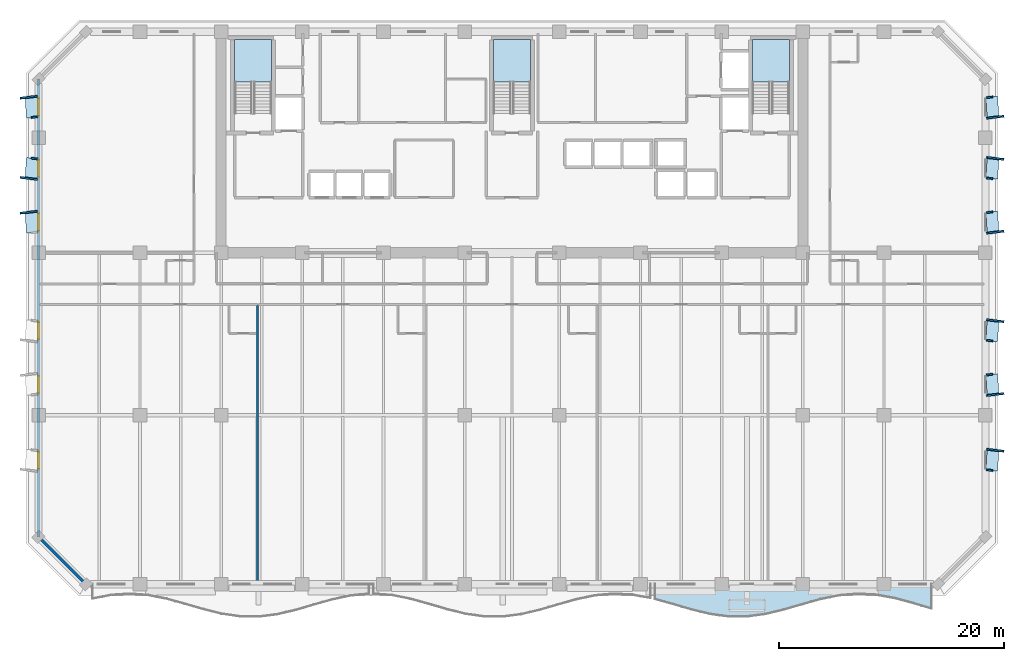
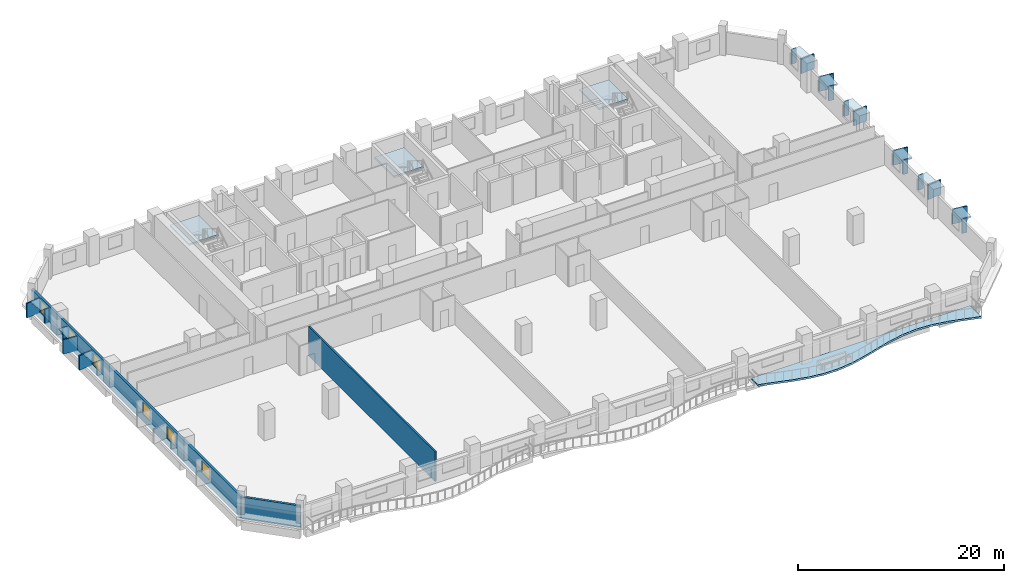
# One storey, part 3 of 14: 26 plates, 6 windows, 4 slabs, 3 walls, 6 openings, 3 elements without a shape of their own.
"""IFC4 building model written with IfcOpenShell, lengths in metres."""

from ifc_helpers import new_model, si_unit, direction, frame, frame_2d, origin, origin_2d, place, context, subcontext, project, spatial, polyline, rectangle, outline, extrude, material, layer, layer_set, type_object, element, fill, aggregate, save


model = new_model("IFC4")

# Units and contexts
model_context = context("Model", 3, precision=1e-05, world=origin(), true_north=direction((0.0, 1.0)))
body_context = subcontext(model_context, "Body", "Model", "MODEL_VIEW")
ifc_project = project(units=[si_unit("LENGTHUNIT", "METRE"), si_unit("AREAUNIT", "SQUARE_METRE"), si_unit("VOLUMEUNIT", "CUBIC_METRE"), si_unit("PLANEANGLEUNIT", "RADIAN"), si_unit("MASSUNIT", "GRAM", prefix="KILO")], contexts=[model_context])

# Site, building, storey
site_placement = place(None, origin())
site = spatial("IfcSite", under=ifc_project, at=site_placement, CompositionType="ELEMENT")
building_placement = place(site_placement, origin())
building = spatial("IfcBuilding", under=site, at=building_placement, Name="Kaelvorn Grand Hotel", CompositionType="ELEMENT")
storey_placement = place(building_placement, frame((0.0, 0.0, 126.800048828125)))
storey = spatial("IfcBuildingStorey", under=building, at=storey_placement, Name="L30", CompositionType="ELEMENT", Elevation=126.800048828125)

# Plates
ifc_material_1 = material(Name="Precast concrete C45/55", Category="concrete")
ifc_layer_1 = layer(ifc_material_1, 0.159912109375)
ifc_layer_set_1 = layer_set([ifc_layer_1], Name="Precast concrete C45/55")
plate_type_1 = type_object("IfcPlateType", Name="PL-FRAME-DEEP-1550", PredefinedType="USERDEFINED", material=ifc_layer_set_1)
for number, where, z_axis, x_axis, name in (
    (1, (84.864990234375, 11.889892578125, 0.68994140625), (0.0, 0.0, 1.0), (0.121869343405, 0.992546151641, 0.0), "L30 Tilted Precast Window Frame Fin R-E01"),
    (2, (84.864990234375, 16.824951171875, 0.68994140625), (0.0, 0.0, 1.0), (-0.121869343405, 0.992546151641, 0.0), "L30 Tilted Precast Window Frame Fin L-E02"),
    (3, (84.864990234375, 23.375, 0.68994140625), (0.0, 0.0, 1.0), (0.121869343405, 0.992546151641, 0.0), "L30 Tilted Precast Window Frame Fin R-E03"),
    (4, (84.864990234375, 31.22509765625, 0.68994140625), (0.0, 0.0, 1.0), (-0.121869343405, 0.992546151641, 0.0), "L30 Tilted Precast Window Frame Fin L-E04"),
    (5, (84.864990234375, 37.77490234375, 0.68994140625), (0.0, 0.0, 1.0), (0.121869343405, 0.992546151641, 0.0), "L30 Tilted Precast Window Frame Fin R-E05"),
    (6, (84.864990234375, 41.425048828125, 0.68994140625), (0.0, 0.0, 1.0), (-0.121869343405, 0.992546151641, 0.0), "L30 Tilted Precast Window Frame Fin L-E06"),
    (7, (-0.864990234375, 33.0048828125, 0.68994140625), (0.0, 0.0, 1.0), (-0.121869343405, 0.992546151641, 0.0), "L30 Tilted Precast Window Frame Fin R-W04"),
    (8, (-0.864990234375, 35.9951171875, 0.68994140625), (0.0, 0.0, 1.0), (0.121869343405, 0.992546151641, 0.0), "L30 Tilted Precast Window Frame Fin L-W05"),
    (9, (-0.864990234375, 43.205078125, 0.68994140625), (0.0, 0.0, 1.0), (-0.121869343405, 0.992546151641, 0.0), "L30 Tilted Precast Window Frame Fin R-W06"),
):
    element("IfcPlate", number, at=place(storey_placement, frame(where, z_axis=z_axis, x_axis=x_axis)), inside=storey, type_object=plate_type_1, Name=name, ObjectType="FLANGE_PLATE", PredefinedType="USERDEFINED", context=body_context, shape_type="SweptSolid", body=[
        extrude(rectangle(XDim=0.159912109375, YDim=1.550048828125, at=origin_2d()), origin(), (0.0, 0.0, 1.0), 1.719970703125),
    ])
ifc_layer_2 = layer(ifc_material_1, 0.159912109375)
ifc_layer_set_2 = layer_set([ifc_layer_2], Name="Precast concrete C45/55")
plate_type_2 = type_object("IfcPlateType", Name="PL-FRAME-HEAD-1050", PredefinedType="USERDEFINED", material=ifc_layer_set_2)
for number, where, z_axis, x_axis, name in (
    (10, (84.614990234375, 11.0, 2.25), (0.0, 0.0, 1.0), (0.054950179912, 0.998489097451, 0.0), "L30 Precast Window Frame Head Hood H-E01"),
    (11, (84.614990234375, 17.715087890625, 2.25), (0.0, 0.0, 1.0), (-0.054950179912, 0.998489097451, 0.0), "L30 Precast Window Frame Head Hood H-E02"),
    (12, (84.614990234375, 22.485107421875, 2.25), (0.0, 0.0, 1.0), (0.054950179912, 0.998489097451, 0.0), "L30 Precast Window Frame Head Hood H-E03"),
    (13, (84.614990234375, 32.114990234375, 2.25), (0.0, 0.0, 1.0), (-0.054950179912, 0.998489097451, 0.0), "L30 Precast Window Frame Head Hood H-E04"),
    (14, (84.614990234375, 36.885009765625, 2.25), (0.0, 0.0, 1.0), (0.054950179912, 0.998489097451, 0.0), "L30 Precast Window Frame Head Hood H-E05"),
    (15, (84.614990234375, 42.31494140625, 2.25), (0.0, 0.0, 1.0), (-0.054950179912, 0.998489097451, 0.0), "L30 Precast Window Frame Head Hood H-E06"),
    (16, (-0.614990234375, 32.114990234375, 2.25), (0.0, 0.0, 1.0), (-0.054950179912, 0.998489097451, 0.0), "L30 Precast Window Frame Head Hood H-W04"),
    (17, (-0.614990234375, 36.885009765625, 2.25), (0.0, 0.0, 1.0), (0.054950179912, 0.998489097451, 0.0), "L30 Precast Window Frame Head Hood H-W05"),
    (18, (-0.614990234375, 42.31494140625, 2.25), (0.0, 0.0, 1.0), (-0.054950179912, 0.998489097451, 0.0), "L30 Precast Window Frame Head Hood H-W06"),
):
    element("IfcPlate", number, at=place(storey_placement, frame(where, z_axis=z_axis, x_axis=x_axis)), inside=storey, type_object=plate_type_2, Name=name, ObjectType="FLANGE_PLATE", PredefinedType="USERDEFINED", context=body_context, shape_type="SweptSolid", body=[
        extrude(rectangle(XDim=1.860107421875, YDim=1.050048828125, at=origin_2d()), origin(), (0.0, 0.0, 1.0), 0.159912109375),
    ])
ifc_layer_3 = layer(ifc_material_1, 0.159912109375)
ifc_layer_set_3 = layer_set([ifc_layer_3], Name="Precast concrete C45/55")
plate_type_3 = type_object("IfcPlateType", Name="PL-FRAME-SHAL-550", PredefinedType="USERDEFINED", material=ifc_layer_set_3)
for number, where, z_axis, x_axis, name in (
    (19, (84.364990234375, 10.110107421875, 0.68994140625), (0.0, 0.0, 1.0), (0.121869343405, 0.992546151641, 0.0), "L30 Tilted Precast Window Frame Fin L-E01"),
    (20, (84.364990234375, 18.60498046875, 0.68994140625), (0.0, 0.0, 1.0), (-0.121869343405, 0.992546151641, 0.0), "L30 Tilted Precast Window Frame Fin R-E02"),
    (21, (84.364990234375, 21.594970703125, 0.68994140625), (0.0, 0.0, 1.0), (0.121869343405, 0.992546151641, 0.0), "L30 Tilted Precast Window Frame Fin L-E03"),
    (22, (84.364990234375, 33.0048828125, 0.68994140625), (0.0, 0.0, 1.0), (-0.121869343405, 0.992546151641, 0.0), "L30 Tilted Precast Window Frame Fin R-E04"),
    (23, (84.364990234375, 35.9951171875, 0.68994140625), (0.0, 0.0, 1.0), (0.121869343405, 0.992546151641, 0.0), "L30 Tilted Precast Window Frame Fin L-E05"),
    (24, (84.364990234375, 43.205078125, 0.68994140625), (0.0, 0.0, 1.0), (-0.121869343405, 0.992546151641, 0.0), "L30 Tilted Precast Window Frame Fin R-E06"),
    (25, (-0.364990234375, 37.77490234375, 0.68994140625), (0.0, 0.0, 1.0), (0.121869343405, 0.992546151641, 0.0), "L30 Tilted Precast Window Frame Fin R-W05"),
    (26, (-0.364990234375, 41.425048828125, 0.68994140625), (0.0, 0.0, 1.0), (-0.121869343405, 0.992546151641, 0.0), "L30 Tilted Precast Window Frame Fin L-W06"),
):
    element("IfcPlate", number, at=place(storey_placement, frame(where, z_axis=z_axis, x_axis=x_axis)), inside=storey, type_object=plate_type_3, Name=name, ObjectType="FLANGE_PLATE", PredefinedType="USERDEFINED", context=body_context, shape_type="SweptSolid", body=[
        extrude(rectangle(XDim=0.159912109375, YDim=0.550048828125, at=origin_2d()), origin(), (0.0, 0.0, 1.0), 1.719970703125),
    ])

# Slab
ifc_material_2 = material(Name="Concrete C40/50", Category="concrete")
ifc_layer_4 = layer(ifc_material_2, 0.219970703125)
ifc_layer_set_4 = layer_set([ifc_layer_4], Name="Concrete C40/50")
slab_type_1 = type_object("IfcSlabType", Name="SLB-BALC-220-C40", PredefinedType="FLOOR", material=ifc_layer_set_4)
slab_1_placement = place(storey_placement, frame((0.0, 0.0, -0.219970703125)))
element("IfcSlab", 27, at=slab_1_placement, inside=storey, type_object=slab_type_1, Name="L30 Scalloped Wave Balcony Slab 3", PredefinedType="FLOOR", context=body_context, shape_type="SweptSolid", body=[
    extrude(outline(polyline([(54.666748046875, -1.318359375), (56.30224609375, -1.7744140625), (57.937744140625, -2.2529296875), (59.5732421875, -2.647216796875), (61.208984375, -2.8701171875), (62.844482421875, -2.8720703125), (64.47998046875, -2.652587890625), (66.115478515625, -2.26025390625), (67.751220703125, -1.782470703125), (69.38671875, -1.3251953125), (71.022216796875, -0.989990234375), (72.65771484375, -0.851318359375), (74.293212890625, -0.940185546875), (75.928955078125, -1.236572265625), (77.564453125, -1.6748046875), (79.199951171875, -2.157470703125), (79.199951171875, 0.0), (54.666748046875, 0.0), (54.666748046875, -1.318359375)])), origin(), (0.0, 0.0, 1.0), 0.219970703125),
])

# Stair, slab
stair_type = type_object("IfcStairType", Name="STR-DOG-1560-R06", PredefinedType="HALF_TURN_STAIR", material=ifc_material_2)
stair_1_placement = place(storey_placement, origin())
stair_1 = element("IfcStair", 28, at=stair_1_placement, inside=storey, type_object=stair_type, Name="L30 West Core Exit Stair ST1", PredefinedType="HALF_TURN_STAIR")
ifc_layer_5 = layer(ifc_material_2, 0.199951171875)
ifc_layer_set_5 = layer_set([ifc_layer_5], Name="Concrete C40/50")
slab_type_2 = type_object("IfcSlabType", Name="SLB-LAND-200-C40", PredefinedType="LANDING", material=ifc_layer_set_5)
slab_2_placement = place(storey_placement, frame((0.0, 0.0, 1.675048828125)))
slab_2 = element("IfcSlab", 29, at=slab_2_placement, type_object=slab_type_2, Name="ST1 landing 1", PredefinedType="LANDING", context=body_context, shape_type="SweptSolid", body=[
    extrude(outline(polyline([(20.679931640625, 44.56005859375), (20.679931640625, 48.300048828125), (17.39990234375, 48.300048828125), (17.39990234375, 44.56005859375), (20.679931640625, 44.56005859375)])), origin(), (0.0, 0.0, 1.0), 0.199951171875),
])
aggregate(stair_1, [slab_2])

stair_2_placement = place(storey_placement, origin())
stair_2 = element("IfcStair", 30, at=stair_2_placement, inside=storey, type_object=stair_type, Name="L30 Central Core Exit Stair ST2", PredefinedType="HALF_TURN_STAIR")
slab_3_placement = place(storey_placement, frame((0.0, 0.0, 1.675048828125)))
slab_3 = element("IfcSlab", 31, at=slab_3_placement, type_object=slab_type_2, Name="ST2 landing 1", PredefinedType="LANDING", context=body_context, shape_type="SweptSolid", body=[
    extrude(outline(polyline([(43.639892578125, 44.56005859375), (43.639892578125, 48.300048828125), (40.360107421875, 48.300048828125), (40.360107421875, 44.56005859375), (43.639892578125, 44.56005859375)])), origin(), (0.0, 0.0, 1.0), 0.199951171875),
])
aggregate(stair_2, [slab_3])

stair_3_placement = place(storey_placement, origin())
stair_3 = element("IfcStair", 32, at=stair_3_placement, inside=storey, type_object=stair_type, Name="L30 East Core Exit Stair ST3", PredefinedType="HALF_TURN_STAIR")
slab_4_placement = place(storey_placement, frame((0.0, 0.0, 1.675048828125)))
slab_4 = element("IfcSlab", 33, at=slab_4_placement, type_object=slab_type_2, Name="ST3 landing 1", PredefinedType="LANDING", context=body_context, shape_type="SweptSolid", body=[
    extrude(outline(polyline([(66.60009765625, 44.56005859375), (66.60009765625, 48.300048828125), (63.320068359375, 48.300048828125), (63.320068359375, 44.56005859375), (66.60009765625, 44.56005859375)])), origin(), (0.0, 0.0, 1.0), 0.199951171875),
])
aggregate(stair_3, [slab_4])

# Wall, openings, windows
ifc_layer_6 = layer(ifc_material_2, 0.260009765625)
ifc_layer_set_6 = layer_set([ifc_layer_6], Name="Concrete C40/50")
wall_type_1 = type_object("IfcWallType", Name="WL-EXT-260-C40", PredefinedType="SOLIDWALL", material=ifc_layer_set_6)
wall_1_placement = place(storey_placement, frame((0.0, 44.800048828125, 0.0), z_axis=(0.0, 0.0, 1.0), x_axis=(0.0, -1.0, 0.0)))
wall_1 = element("IfcWall", 34, at=wall_1_placement, inside=storey, type_object=wall_type_1, Name="L30 Exterior Architectural Concrete Wall 07", PredefinedType="SOLIDWALL", context=body_context, shape_type="SweptSolid", body=[
    extrude(rectangle(XDim=40.60009765625, YDim=0.260009765625, at=frame_2d((20.300048828125, 0.0))), origin(), (0.0, 0.0, 1.0), 2.56005859375),
])
opening_1_placement = place(wall_1_placement, frame((33.050048828125, 0.0, 0.85009765625)))
opening_1 = element("IfcOpeningElement", 35, at=opening_1_placement, cuts=wall_1, Name="Opening W10", PredefinedType="OPENING", context=body_context, shape_type="SweptSolid", body=[
    extrude(rectangle(XDim=1.5, YDim=1.39990234375, at=frame_2d((0.75, 0.699951171875))), frame((0.0, 0.14013671875, 0.0), z_axis=(0.0, -1.0, 0.0), x_axis=(1.0, 0.0, 0.0)), (0.0, 0.0, 1.0), 0.280029296875),
])
opening_2_placement = place(wall_1_placement, frame((26.3349609375, 0.0, 0.85009765625)))
opening_2 = element("IfcOpeningElement", 36, at=opening_2_placement, cuts=wall_1, Name="Opening W10", PredefinedType="OPENING", context=body_context, shape_type="SweptSolid", body=[
    extrude(rectangle(XDim=1.5, YDim=1.39990234375, at=frame_2d((0.75, 0.699951171875))), frame((0.0, 0.14013671875, 0.0), z_axis=(0.0, -1.0, 0.0), x_axis=(1.0, 0.0, 0.0)), (0.0, 0.0, 1.0), 0.280029296875),
])
opening_3_placement = place(wall_1_placement, frame((21.56494140625, 0.0, 0.85009765625)))
opening_3 = element("IfcOpeningElement", 37, at=opening_3_placement, cuts=wall_1, Name="Opening W10", PredefinedType="OPENING", context=body_context, shape_type="SweptSolid", body=[
    extrude(rectangle(XDim=1.5, YDim=1.39990234375, at=frame_2d((0.75, 0.699951171875))), frame((0.0, 0.14013671875, 0.0), z_axis=(0.0, -1.0, 0.0), x_axis=(1.0, 0.0, 0.0)), (0.0, 0.0, 1.0), 0.280029296875),
])
opening_4_placement = place(wall_1_placement, frame((11.93505859375, 0.0, 0.85009765625)))
opening_4 = element("IfcOpeningElement", 38, at=opening_4_placement, cuts=wall_1, Name="Opening W10", PredefinedType="OPENING", context=body_context, shape_type="SweptSolid", body=[
    extrude(rectangle(XDim=1.5, YDim=1.39990234375, at=frame_2d((0.75, 0.699951171875))), frame((0.0, 0.14013671875, 0.0), z_axis=(0.0, -1.0, 0.0), x_axis=(1.0, 0.0, 0.0)), (0.0, 0.0, 1.0), 0.280029296875),
])
opening_5_placement = place(wall_1_placement, frame((7.1650390625, 0.0, 0.85009765625)))
opening_5 = element("IfcOpeningElement", 39, at=opening_5_placement, cuts=wall_1, Name="Opening W10", PredefinedType="OPENING", context=body_context, shape_type="SweptSolid", body=[
    extrude(rectangle(XDim=1.5, YDim=1.39990234375, at=frame_2d((0.75, 0.699951171875))), frame((0.0, 0.14013671875, 0.0), z_axis=(0.0, -1.0, 0.0), x_axis=(1.0, 0.0, 0.0)), (0.0, 0.0, 1.0), 0.280029296875),
])
opening_6_placement = place(wall_1_placement, frame((1.735107421875, 0.0, 0.85009765625)))
opening_6 = element("IfcOpeningElement", 40, at=opening_6_placement, cuts=wall_1, Name="Opening W10", PredefinedType="OPENING", context=body_context, shape_type="SweptSolid", body=[
    extrude(rectangle(XDim=1.5, YDim=1.39990234375, at=frame_2d((0.75, 0.699951171875))), frame((0.0, 0.14013671875, 0.0), z_axis=(0.0, -1.0, 0.0), x_axis=(1.0, 0.0, 0.0)), (0.0, 0.0, 1.0), 0.280029296875),
])
ifc_material_3 = material(Name="Laminated Low-E Glass", Category="glass")
window_type = type_object("IfcWindowType", Name="WIN-COR-1500x1400", PartitioningType="SINGLE_PANEL", PredefinedType="WINDOW", material=ifc_material_3)
window_1_placement = place(opening_1_placement, origin())
window_1 = element("IfcWindow", 41, at=window_1_placement, inside=storey, type_object=window_type, Name="L30 W Wing Tilted-Frame Ribbon Window W01", OverallHeight=1.39990234375, OverallWidth=1.5, PartitioningType="SINGLE_PANEL", PredefinedType="WINDOW", context=body_context, shape_type="SweptSolid", body=[
    extrude(rectangle(XDim=1.5, YDim=1.39990234375, at=frame_2d((0.75, 0.699951171875))), frame((0.0, 0.030029296875, 0.0), z_axis=(0.0, -1.0, 0.0), x_axis=(1.0, 0.0, 0.0)), (0.0, 0.0, 1.0), 0.06005859375),
])
fill(opening_1, window_1)
window_2_placement = place(opening_2_placement, origin())
window_2 = element("IfcWindow", 42, at=window_2_placement, inside=storey, type_object=window_type, Name="L30 W Wing Tilted-Frame Ribbon Window W02", OverallHeight=1.39990234375, OverallWidth=1.5, PartitioningType="SINGLE_PANEL", PredefinedType="WINDOW", context=body_context, shape_type="SweptSolid", body=[
    extrude(rectangle(XDim=1.5, YDim=1.39990234375, at=frame_2d((0.75, 0.699951171875))), frame((0.0, 0.030029296875, 0.0), z_axis=(0.0, -1.0, 0.0), x_axis=(1.0, 0.0, 0.0)), (0.0, 0.0, 1.0), 0.06005859375),
])
fill(opening_2, window_2)
window_3_placement = place(opening_3_placement, origin())
window_3 = element("IfcWindow", 43, at=window_3_placement, inside=storey, type_object=window_type, Name="L30 W Wing Tilted-Frame Ribbon Window W03", OverallHeight=1.39990234375, OverallWidth=1.5, PartitioningType="SINGLE_PANEL", PredefinedType="WINDOW", context=body_context, shape_type="SweptSolid", body=[
    extrude(rectangle(XDim=1.5, YDim=1.39990234375, at=frame_2d((0.75, 0.699951171875))), frame((0.0, 0.030029296875, 0.0), z_axis=(0.0, -1.0, 0.0), x_axis=(1.0, 0.0, 0.0)), (0.0, 0.0, 1.0), 0.06005859375),
])
fill(opening_3, window_3)
window_4_placement = place(opening_4_placement, origin())
window_4 = element("IfcWindow", 44, at=window_4_placement, inside=storey, type_object=window_type, Name="L30 W Wing Tilted-Frame Ribbon Window W04", OverallHeight=1.39990234375, OverallWidth=1.5, PartitioningType="SINGLE_PANEL", PredefinedType="WINDOW", context=body_context, shape_type="SweptSolid", body=[
    extrude(rectangle(XDim=1.5, YDim=1.39990234375, at=frame_2d((0.75, 0.699951171875))), frame((0.0, 0.030029296875, 0.0), z_axis=(0.0, -1.0, 0.0), x_axis=(1.0, 0.0, 0.0)), (0.0, 0.0, 1.0), 0.06005859375),
])
fill(opening_4, window_4)
window_5_placement = place(opening_5_placement, origin())
window_5 = element("IfcWindow", 45, at=window_5_placement, inside=storey, type_object=window_type, Name="L30 W Wing Tilted-Frame Ribbon Window W05", OverallHeight=1.39990234375, OverallWidth=1.5, PartitioningType="SINGLE_PANEL", PredefinedType="WINDOW", context=body_context, shape_type="SweptSolid", body=[
    extrude(rectangle(XDim=1.5, YDim=1.39990234375, at=frame_2d((0.75, 0.699951171875))), frame((0.0, 0.030029296875, 0.0), z_axis=(0.0, -1.0, 0.0), x_axis=(1.0, 0.0, 0.0)), (0.0, 0.0, 1.0), 0.06005859375),
])
fill(opening_5, window_5)
window_6_placement = place(opening_6_placement, origin())
window_6 = element("IfcWindow", 46, at=window_6_placement, inside=storey, type_object=window_type, Name="L30 W Wing Tilted-Frame Ribbon Window W06", OverallHeight=1.39990234375, OverallWidth=1.5, PartitioningType="SINGLE_PANEL", PredefinedType="WINDOW", context=body_context, shape_type="SweptSolid", body=[
    extrude(rectangle(XDim=1.5, YDim=1.39990234375, at=frame_2d((0.75, 0.699951171875))), frame((0.0, 0.030029296875, 0.0), z_axis=(0.0, -1.0, 0.0), x_axis=(1.0, 0.0, 0.0)), (0.0, 0.0, 1.0), 0.06005859375),
])
fill(opening_6, window_6)

# Walls
wall_2_placement = place(storey_placement, frame((0.0, 4.199951171875, 0.0), z_axis=(0.0, 0.0, 1.0), x_axis=(0.707106781187, -0.707106781187, 0.0)))
element("IfcWall", 47, at=wall_2_placement, inside=storey, type_object=wall_type_1, Name="L30 Exterior Architectural Concrete Wall 08", PredefinedType="SOLIDWALL", context=body_context, shape_type="SweptSolid", body=[
    extrude(rectangle(XDim=5.939697265625, YDim=0.260009765625, at=frame_2d((2.9697265625, 0.0))), origin(), (0.0, 0.0, 1.0), 2.56005859375),
])
ifc_material_4 = material(Name="Acoustic Gypsum & Stud Partition")
ifc_layer_7 = layer(ifc_material_4, 0.179931640625)
ifc_layer_set_7 = layer_set([ifc_layer_7], Name="Acoustic Gypsum & Stud Partition")
wall_type_2 = type_object("IfcWallType", Name="WL-PART-180-EI60", PredefinedType="PARTITIONING", material=ifc_layer_set_7)
wall_3_placement = place(storey_placement, frame((19.409912109375, 0.14990234375, 0.0), z_axis=(0.0, 0.0, 1.0), x_axis=(0.0, 1.0, 0.0)))
element("IfcWall", 48, at=wall_3_placement, inside=storey, type_object=wall_type_2, Name="L30 Presidential Sky Suite L30-01 E Partition", PredefinedType="PARTITIONING", context=body_context, shape_type="SweptSolid", body=[
    extrude(rectangle(XDim=24.55517578125, YDim=0.179931640625, at=frame_2d((12.277587890625, 0.0))), origin(), (0.0, 0.0, 1.0), 3.510009765625),
])

save(model, "model.ifc")
